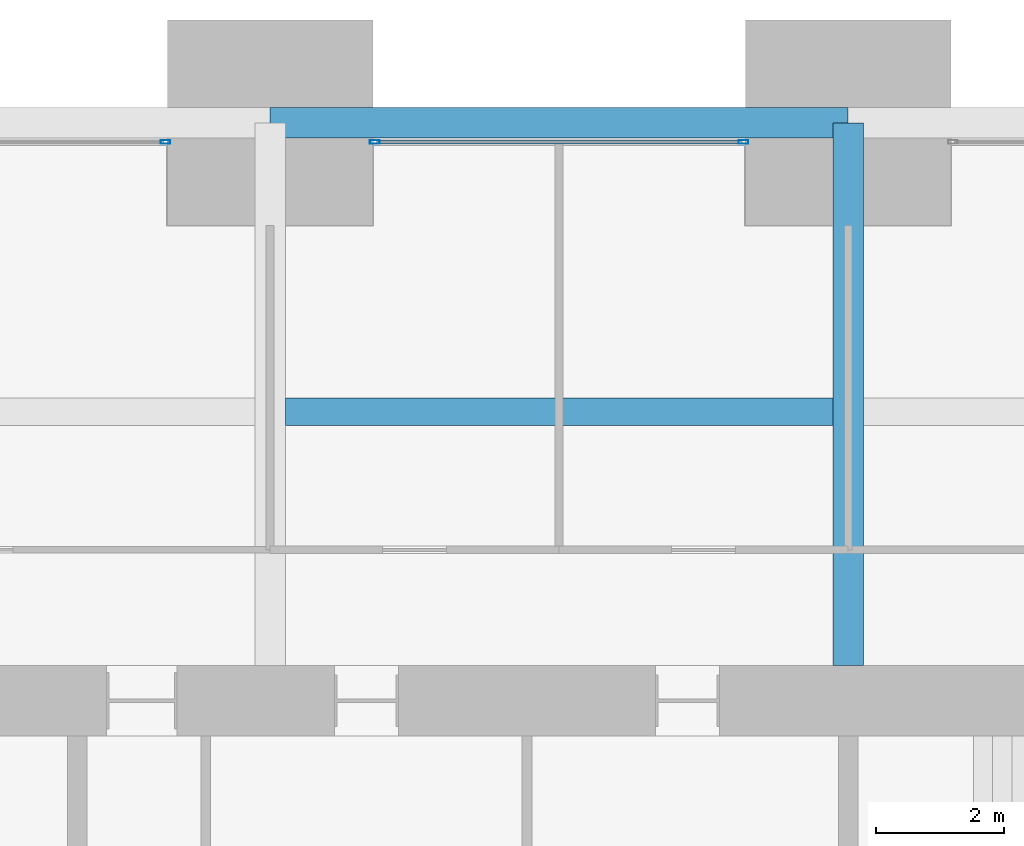
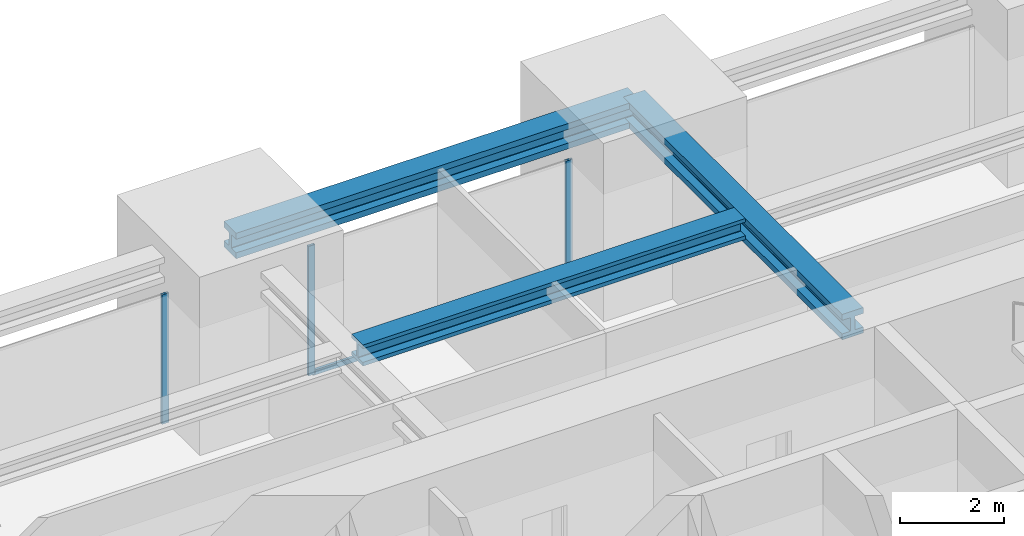
# One storey, part 30 of 39: 4 members, 3 beams, 2 elements without a shape of their own.
"""IFC4 building model written with IfcOpenShell, lengths in metres."""

from ifc_helpers import new_model, si_unit, direction, frame, origin, origin_2d, place, context, subcontext, project, spatial, hollow_rectangle, i_section, extrude, material, material_profile, profile_set, type_object, element, aggregate, save


model = new_model("IFC4")

# Units and contexts
model_context = context("Model", 3, precision=1e-05, world=origin(), true_north=direction((0.0, 1.0)))
body_context = subcontext(model_context, "Body", "Model", "MODEL_VIEW")
ifc_project = project(units=[si_unit("LENGTHUNIT", "METRE"), si_unit("AREAUNIT", "SQUARE_METRE"), si_unit("VOLUMEUNIT", "CUBIC_METRE"), si_unit("PLANEANGLEUNIT", "RADIAN"), si_unit("MASSUNIT", "GRAM", prefix="KILO")], contexts=[model_context])

# Site, building, storey
site_placement = place(None, origin())
site = spatial("IfcSite", under=ifc_project, at=site_placement, CompositionType="ELEMENT")
building_placement = place(site_placement, origin())
building = spatial("IfcBuilding", under=site, at=building_placement, Name="Zorevar Civic Tower", CompositionType="ELEMENT")
storey_placement = place(building_placement, frame((0.0, 0.0, 230.199951171875)))
storey = spatial("IfcBuildingStorey", under=building, at=storey_placement, Name="L56", CompositionType="ELEMENT", Elevation=230.199951171875)

# Beam
ifc_material_1 = material(Name="Steel S460M (HISTAR 460)", Category="steel")
ifc_material_profile_1 = material_profile(ifc_material_1, i_section(OverallWidth=0.47607421875, OverallDepth=0.60009765625, WebThickness=0.10009765625, FlangeThickness=0.139892578125, FilletRadius=0.014892578125, at=origin_2d()), Name="HD 400x1299")
ifc_profile_set_1 = profile_set([ifc_material_profile_1], Name="Steel S460M (HISTAR 460)")
beam_type_1 = type_object("IfcBeamType", Name="Belt chord HD 400x1299", PredefinedType="BEAM", material=ifc_profile_set_1)
beam_1_placement = place(storey_placement, frame((27.0, 45.0, 3.550048828125), z_axis=(1.0, 0.0, 0.0), x_axis=(0.0, 1.0, 0.0)))
element("IfcBeam", 1, at=beam_1_placement, inside=storey, type_object=beam_type_1, Name="Belt chord L57", PredefinedType="BEAM", context=body_context, shape_type="SweptSolid", body=[
    extrude(i_section(OverallWidth=0.47607421875, OverallDepth=0.60009765625, WebThickness=0.10009765625, FlangeThickness=0.139892578125, FilletRadius=0.014892578125, at=origin_2d()), origin(), (0.0, 0.0, 1.0), 9.0),
])

# Curtain wall, member
ifc_material_2 = material(Name="Dark grey solar-control glass in black aluminium frame", Category="aluminium")
curtain_wall_type = type_object("IfcCurtainWallType", Name="Curtain wall CW4 high zone", PredefinedType="NOTDEFINED", material=ifc_material_2)
curtain_wall_1_placement = place(storey_placement, origin())
curtain_wall_1 = element("IfcCurtainWall", 2, at=curtain_wall_1_placement, inside=storey, type_object=curtain_wall_type, Name="CW4 L56", PredefinedType="NOTDEFINED")
ifc_material_3 = material(Name="Aluminium, black anodised", Category="aluminium")
ifc_material_profile_2 = material_profile(ifc_material_3, hollow_rectangle(XDim=0.06005859375, YDim=0.14990234375, WallThickness=0.00390625, at=origin_2d()), Name="AL 150x60x4")
ifc_profile_set_2 = profile_set([ifc_material_profile_2], Name="Aluminium, black anodised")
member_type_1 = type_object("IfcMemberType", Name="CW4 mullion AL 150x60x4", PredefinedType="MULLION", material=ifc_profile_set_2)
member_1_placement = place(storey_placement, frame((25.3701171875, 44.699951171875, 0.0), z_axis=(0.0, 0.0, 1.0), x_axis=(0.0, 1.0, 0.0)))
member_1 = element("IfcMember", 3, at=member_1_placement, type_object=member_type_1, Name="CW4 mullion 2", PredefinedType="MULLION", context=body_context, shape_type="SweptSolid", body=[
    extrude(hollow_rectangle(XDim=0.06005859375, YDim=0.14990234375, WallThickness=0.00390625, at=origin_2d()), origin(), (0.0, 0.0, 1.0), 3.050048828125),
])
aggregate(curtain_wall_1, [member_1])

# Curtain wall, members
curtain_wall_2_placement = place(storey_placement, origin())
curtain_wall_2 = element("IfcCurtainWall", 4, at=curtain_wall_2_placement, inside=storey, type_object=curtain_wall_type, Name="CW4 L56", PredefinedType="NOTDEFINED")
member_2_placement = place(storey_placement, frame((28.6298828125, 44.699951171875, 0.0), z_axis=(0.0, 0.0, 1.0), x_axis=(0.0, 1.0, 0.0)))
member_2 = element("IfcMember", 5, at=member_2_placement, type_object=member_type_1, Name="CW4 mullion 1", PredefinedType="MULLION", context=body_context, shape_type="SweptSolid", body=[
    extrude(hollow_rectangle(XDim=0.06005859375, YDim=0.14990234375, WallThickness=0.00390625, at=origin_2d()), origin(), (0.0, 0.0, 1.0), 3.050048828125),
])
member_3_placement = place(storey_placement, frame((34.3701171875, 44.699951171875, 0.0), z_axis=(0.0, 0.0, 1.0), x_axis=(0.0, 1.0, 0.0)))
member_3 = element("IfcMember", 6, at=member_3_placement, type_object=member_type_1, Name="CW4 mullion 2", PredefinedType="MULLION", context=body_context, shape_type="SweptSolid", body=[
    extrude(hollow_rectangle(XDim=0.06005859375, YDim=0.14990234375, WallThickness=0.00390625, at=origin_2d()), origin(), (0.0, 0.0, 1.0), 3.050048828125),
])
ifc_material_4 = material(Name="Aluminium, black anodised", Category="aluminium")
ifc_material_profile_3 = material_profile(ifc_material_4, hollow_rectangle(XDim=0.06005859375, YDim=0.1201171875, WallThickness=0.0029296875, at=origin_2d()), Name="AL 120x60x3")
ifc_profile_set_3 = profile_set([ifc_material_profile_3], Name="Aluminium, black anodised")
member_type_2 = type_object("IfcMemberType", Name="CW4 transom AL 120x60x3", PredefinedType="USERDEFINED", material=ifc_profile_set_3)
member_4_placement = place(storey_placement, frame((28.659912109375, 44.699951171875, 0.030029296875), z_axis=(1.0, 0.0, 0.0), x_axis=(0.0, 1.0, 0.0)))
member_4 = element("IfcMember", 7, at=member_4_placement, type_object=member_type_2, Name="CW4 sill transom", ObjectType="TRANSOM", PredefinedType="USERDEFINED", context=body_context, shape_type="SweptSolid", body=[
    extrude(hollow_rectangle(XDim=0.06005859375, YDim=0.1201171875, WallThickness=0.0029296875, at=origin_2d()), origin(), (0.0, 0.0, 1.0), 5.68017578125),
])
aggregate(curtain_wall_2, [member_2, member_3, member_4])

# Beams
ifc_material_5 = material(Name="Steel S460M (HISTAR 460)", Category="steel")
ifc_material_profile_4 = material_profile(ifc_material_5, i_section(OverallWidth=0.431884765625, OverallDepth=0.498046875, WebThickness=0.0556640625, FlangeThickness=0.0888671875, FilletRadius=0.014892578125, at=origin_2d()), Name="HD 400x744")
ifc_profile_set_4 = profile_set([ifc_material_profile_4], Name="Steel S460M (HISTAR 460)")
beam_type_2 = type_object("IfcBeamType", Name="Core bay beam HD 400x744", PredefinedType="BEAM", material=ifc_profile_set_4)
beam_2_placement = place(storey_placement, frame((27.238037109375, 40.5, 3.60107421875), z_axis=(1.0, 0.0, 0.0), x_axis=(0.0, 1.0, 0.0)))
element("IfcBeam", 8, at=beam_2_placement, inside=storey, type_object=beam_type_2, Name="Secondary beam L57", PredefinedType="BEAM", context=body_context, shape_type="SweptSolid", body=[
    extrude(i_section(OverallWidth=0.431884765625, OverallDepth=0.498046875, WebThickness=0.0556640625, FlangeThickness=0.0888671875, FilletRadius=0.014892578125, at=origin_2d()), origin(), (0.0, 0.0, 1.0), 8.52392578125),
])
ifc_material_6 = material(Name="Steel S460M (HISTAR 460)", Category="steel")
ifc_material_profile_5 = material_profile(ifc_material_6, i_section(OverallWidth=0.47607421875, OverallDepth=0.60009765625, WebThickness=0.10009765625, FlangeThickness=0.139892578125, FilletRadius=0.014892578125, at=origin_2d()), Name="HD 400x1299")
ifc_profile_set_5 = profile_set([ifc_material_profile_5], Name="Steel S460M (HISTAR 460)")
beam_type_3 = type_object("IfcBeamType", Name="Outrigger chord HD 400x1299", PredefinedType="BEAM", material=ifc_profile_set_5)
beam_3_placement = place(storey_placement, frame((36.0, 36.550048828125, 3.550048828125), z_axis=(0.0, 1.0, 0.0), x_axis=(-1.0, 0.0, 0.0)))
element("IfcBeam", 9, at=beam_3_placement, inside=storey, type_object=beam_type_3, Name="Outrigger chord L57", PredefinedType="BEAM", context=body_context, shape_type="SweptSolid", body=[
    extrude(i_section(OverallWidth=0.47607421875, OverallDepth=0.60009765625, WebThickness=0.10009765625, FlangeThickness=0.139892578125, FilletRadius=0.014892578125, at=origin_2d()), origin(), (0.0, 0.0, 1.0), 8.449951171875),
])

save(model, "model.ifc")
